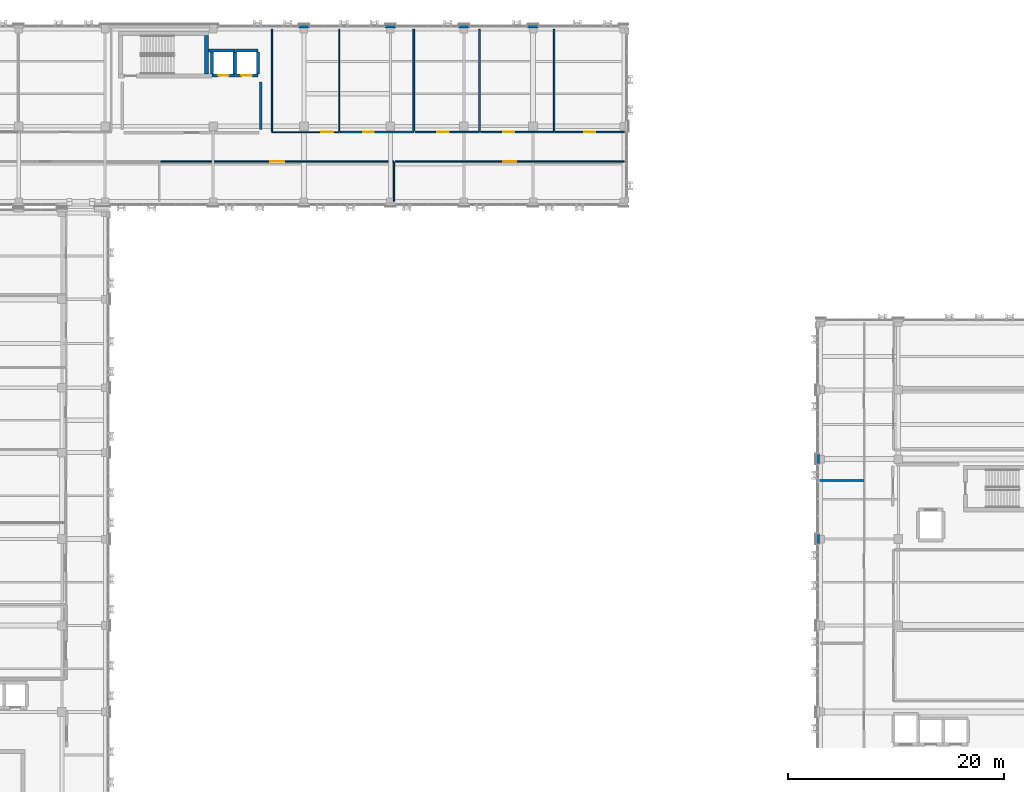
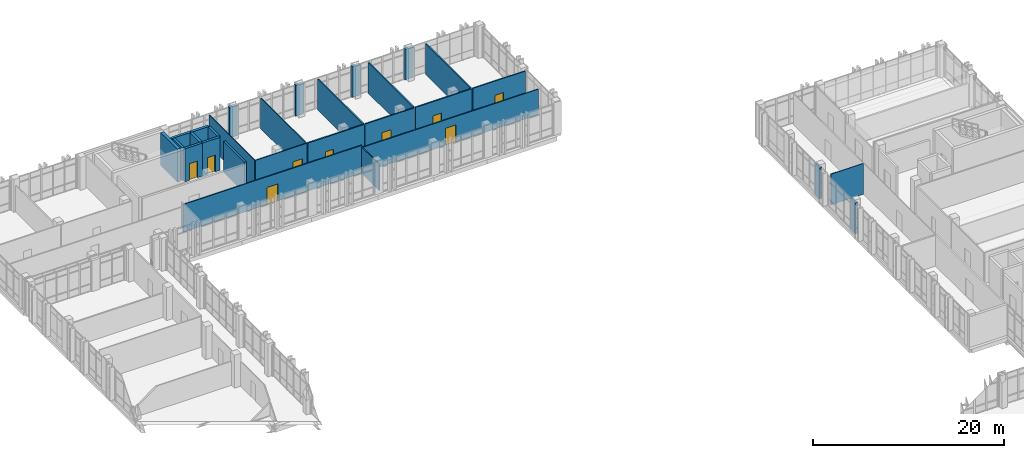
# One storey, part 138 of 165: 29 walls, 9 doors, 9 openings.
"""IFC4 building model written with IfcOpenShell, lengths in metres."""

from ifc_helpers import new_model, si_unit, direction, frame, frame_2d, origin, place, context, subcontext, project, spatial, rectangle, extrude, material, layer, layer_set, type_object, element, fill, save


model = new_model("IFC4")

# Units and contexts
model_context = context("Model", 3, precision=1e-05, world=origin(), true_north=direction((0.0, 1.0)))
body_context = subcontext(model_context, "Body", "Model", "MODEL_VIEW")
ifc_project = project(units=[si_unit("LENGTHUNIT", "METRE"), si_unit("AREAUNIT", "SQUARE_METRE"), si_unit("VOLUMEUNIT", "CUBIC_METRE"), si_unit("PLANEANGLEUNIT", "RADIAN"), si_unit("MASSUNIT", "GRAM", prefix="KILO")], contexts=[model_context])

# Site, building, storey
site_placement = place(None, origin())
site = spatial("IfcSite", under=ifc_project, at=site_placement, CompositionType="ELEMENT")
building_placement = place(site_placement, origin())
building = spatial("IfcBuilding", under=site, at=building_placement, Name="Qalavern Law Courts", CompositionType="ELEMENT")
storey_placement = place(building_placement, frame((0.0, 0.0, 14.39990234375)))
storey = spatial("IfcBuildingStorey", under=building, at=storey_placement, Name="L03", CompositionType="ELEMENT", Elevation=14.39990234375)

# Walls
ifc_material_1 = material(Name="Concrete C40/50", Category="concrete")
ifc_layer_1 = layer(ifc_material_1, 0.294921875)
ifc_layer_set_1 = layer_set([ifc_layer_1], Name="Concrete C40/50")
wall_type_1 = type_object("IfcWallType", Name="ENV-EW-295", PredefinedType="SOLIDWALL", material=ifc_layer_set_1)
for number, where, z_axis, x_axis, name in (
    (1, (84.347412109375, 73.300048828125, 0.0), (0.0, 0.0, 1.0), (0.0, -1.0, 0.0), "V4 exterior pier wall L03 west 3"),
    (2, (84.347412109375, 65.89990234375, 0.0), (0.0, 0.0, 1.0), (0.0, -1.0, 0.0), "V4 exterior pier wall L03 west 4"),
    (3, (58.5, 112.8525390625, 0.0), (0.0, 0.0, 1.0), (-1.0, 0.0, 0.0), "V5 exterior pier wall L03 north 2"),
    (4, (52.10009765625, 112.8525390625, 0.0), (0.0, 0.0, 1.0), (-1.0, 0.0, 0.0), "V5 exterior pier wall L03 north 3"),
    (5, (45.300048828125, 112.8525390625, 0.0), (0.0, 0.0, 1.0), (-1.0, 0.0, 0.0), "V5 exterior pier wall L03 north 4"),
    (6, (37.300048828125, 112.8525390625, 0.0), (0.0, 0.0, 1.0), (-1.0, 0.0, 0.0), "V5 exterior pier wall L03 north 5"),
):
    element("IfcWall", number, at=place(storey_placement, frame(where, z_axis=z_axis, x_axis=x_axis)), inside=storey, type_object=wall_type_1, Name=name, PredefinedType="SOLIDWALL", context=body_context, shape_type="SweptSolid", body=[
        extrude(rectangle(XDim=1.0, YDim=0.294921875, at=frame_2d((0.5, 0.0))), origin(), (0.0, 0.0, 1.0), 3.920166015625),
    ])
ifc_material_2 = material(Name="Concrete C45/55", Category="concrete")
ifc_layer_2 = layer(ifc_material_2, 0.375)
ifc_layer_set_2 = layer_set([ifc_layer_2], Name="Concrete C45/55")
wall_type_2 = type_object("IfcWallType", Name="INT-CW-375", PredefinedType="SHEAR", material=ifc_layer_set_2)
wall_1_placement = place(storey_placement, frame((27.78759765625, 108.449951171875, 0.0), z_axis=(0.0, 0.0, 1.0), x_axis=(0.0, 1.0, 0.0)))
element("IfcWall", 7, at=wall_1_placement, inside=storey, type_object=wall_type_2, Name="Core K3 stair shear wall L03 east", PredefinedType="SHEAR", context=body_context, shape_type="SweptSolid", body=[
    extrude(rectangle(XDim=3.550048828125, YDim=0.375, at=frame_2d((1.77490234375, 0.0))), origin(), (0.0, 0.0, 1.0), 4.2001953125),
])
ifc_layer_3 = layer(ifc_material_1, 0.22509765625)
ifc_layer_set_3 = layer_set([ifc_layer_3], Name="Concrete C40/50")
wall_type_3 = type_object("IfcWallType", Name="INT-FW-225", PredefinedType="PARTITIONING", material=ifc_layer_set_3)
wall_2_placement = place(storey_placement, frame((32.800048828125, 103.300048828125, 0.0), z_axis=(0.0, 0.0, 1.0), x_axis=(0.0, 1.0, 0.0)))
element("IfcWall", 8, at=wall_2_placement, inside=storey, type_object=wall_type_3, Name="Core K3 lobby return wall L03 east", PredefinedType="PARTITIONING", context=body_context, shape_type="SweptSolid", body=[
    extrude(rectangle(XDim=4.39990234375, YDim=0.22509765625, at=frame_2d((2.199951171875, 0.0))), origin(), (0.0, 0.0, 1.0), 3.920166015625),
])
ifc_material_3 = material(Name="Gypsum shaft/chase partition")
ifc_layer_4 = layer(ifc_material_3, 0.092041015625)
ifc_layer_set_4 = layer_set([ifc_layer_4], Name="Gypsum shaft/chase partition")
wall_type_4 = type_object("IfcWallType", Name="INT-PW-092", PredefinedType="PARTITIONING", material=ifc_layer_set_4)
wall_3_placement = place(storey_placement, frame((84.639892578125, 70.803955078125, 0.0), z_axis=(0.0, 0.0, 1.0), x_axis=(1.0, 0.0, 0.0)))
element("IfcWall", 9, at=wall_3_placement, inside=storey, type_object=wall_type_4, Name="Civil Courtroom cross partition L03 north", PredefinedType="PARTITIONING", context=body_context, shape_type="SweptSolid", body=[
    extrude(rectangle(XDim=3.93408203125, YDim=0.092041015625, at=frame_2d((1.967041015625, 0.0))), origin(), (0.0, 0.0, 1.0), 3.920166015625),
])

# Wall, opening, door
ifc_material_4 = material(Name="Gypsum sanitary partition")
ifc_layer_5 = layer(ifc_material_4, 0.10205078125)
ifc_layer_set_5 = layer_set([ifc_layer_5], Name="Gypsum sanitary partition")
wall_type_5 = type_object("IfcWallType", Name="INT-PW-102", PredefinedType="PARTITIONING", material=ifc_layer_set_5)
wall_4_placement = place(storey_placement, frame((33.840087890625, 103.06005859375, 0.0), z_axis=(0.0, 0.0, 1.0), x_axis=(1.0, 0.0, 0.0)))
wall_4 = element("IfcWall", 10, at=wall_4_placement, inside=storey, type_object=wall_type_5, Name="Judicial Conference Room corridor partition L03", PredefinedType="PARTITIONING", context=body_context, shape_type="SweptSolid", body=[
    extrude(rectangle(XDim=6.216796875, YDim=0.10205078125, at=frame_2d((3.1083984375, 0.0))), origin(), (0.0, 0.0, 1.0), 3.920166015625),
])
opening_1_placement = place(wall_4_placement, frame((4.548583984375, 0.0, 0.0)))
opening_1 = element("IfcOpeningElement", 11, at=opening_1_placement, cuts=wall_4, Name="Opening L03-D372", PredefinedType="OPENING", context=body_context, shape_type="SweptSolid", body=[
    extrude(rectangle(XDim=1.1201171875, YDim=2.139892578125, at=frame_2d((0.56005859375, 1.06982421875))), frame((0.0, 0.06591796875, 0.0), z_axis=(0.0, -1.0, 0.0), x_axis=(1.0, 0.0, 0.0)), (0.0, 0.0, 1.0), 0.1318359375),
])
ifc_material_5 = material(Name="Solid oak Appellate Chambers door")
door_type_1 = type_object("IfcDoorType", Name="INT-ID-1120x2140", OperationType="NOTDEFINED", PredefinedType="DOOR", material=ifc_material_5)
door_1_placement = place(opening_1_placement, origin())
door_1 = element("IfcDoor", 12, at=door_1_placement, inside=storey, type_object=door_type_1, Name="Judicial Conference Room door L03", OperationType="SINGLE_SWING_LEFT", OverallHeight=2.139892578125, OverallWidth=1.1201171875, PredefinedType="DOOR", context=body_context, shape_type="SweptSolid", body=[
    extrude(rectangle(XDim=1.1201171875, YDim=2.139892578125, at=frame_2d((0.56005859375, 1.06982421875))), frame((0.0, 0.02490234375, 0.0), z_axis=(0.0, -1.0, 0.0), x_axis=(1.0, 0.0, 0.0)), (0.0, 0.0, 1.0), 0.050048828125),
])
fill(opening_1, door_1)

# Walls
for number, where, z_axis, x_axis, name in (
    (13, (33.840087890625, 103.131103515625, 0.0), (0.0, 0.0, 1.0), (0.0, 1.0, 0.0), "Judicial Conference Room cross partition L03 west"),
    (14, (40.056884765625, 103.131103515625, 0.0), (0.0, 0.0, 1.0), (0.0, 1.0, 0.0), "Judicial Conference Room cross partition L03 east"),
):
    element("IfcWall", number, at=place(storey_placement, frame(where, z_axis=z_axis, x_axis=x_axis)), inside=storey, type_object=wall_type_5, Name=name, PredefinedType="PARTITIONING", context=body_context, shape_type="SweptSolid", body=[
        extrude(rectangle(XDim=9.428955078125, YDim=0.10205078125, at=frame_2d((4.71435546875, 0.0))), origin(), (0.0, 0.0, 1.0), 3.920166015625),
    ])

# Wall, opening, door
ifc_material_6 = material(Name="Gypsum stud partition")
ifc_layer_6 = layer(ifc_material_6, 0.112060546875)
ifc_layer_set_6 = layer_set([ifc_layer_6], Name="Gypsum stud partition")
wall_type_6 = type_object("IfcWallType", Name="INT-PW-112", PredefinedType="PARTITIONING", material=ifc_layer_set_6)
wall_5_placement = place(storey_placement, frame((45.2509765625, 100.340087890625, 0.0), z_axis=(0.0, 0.0, 1.0), x_axis=(1.0, 0.0, 0.0)))
wall_5 = element("IfcWall", 15, at=wall_5_placement, inside=storey, type_object=wall_type_6, Name="Judicial Clerks' Office corridor partition L03", PredefinedType="PARTITIONING", context=body_context, shape_type="SweptSolid", body=[
    extrude(rectangle(XDim=21.1689453125, YDim=0.112060546875, at=frame_2d((10.58447265625, 0.0))), origin(), (0.0, 0.0, 1.0), 3.25),
])
opening_2_placement = place(wall_5_placement, frame((9.974609375, 0.0, 0.0)))
opening_2 = element("IfcOpeningElement", 16, at=opening_2_placement, cuts=wall_5, Name="Opening L03-D371", PredefinedType="OPENING", context=body_context, shape_type="SweptSolid", body=[
    extrude(rectangle(XDim=1.219970703125, YDim=2.179931640625, at=frame_2d((0.60986328125, 1.08984375))), frame((0.0, 0.07080078125, 0.0), z_axis=(0.0, -1.0, 0.0), x_axis=(1.0, 0.0, 0.0)), (0.0, 0.0, 1.0), 0.141845703125),
])
ifc_material_7 = material(Name="Wide oak Plenary Boardroom door")
door_type_2 = type_object("IfcDoorType", Name="INT-ID-1220x2180", OperationType="NOTDEFINED", PredefinedType="DOOR", material=ifc_material_7)
door_2_placement = place(opening_2_placement, frame((1.219970703125, 0.0, 0.0), z_axis=(0.0, 0.0, 1.0), x_axis=(-1.0, 0.0, 0.0)))
door_2 = element("IfcDoor", 17, at=door_2_placement, inside=storey, type_object=door_type_2, Name="Judicial Clerks' Office door L03", OperationType="SINGLE_SWING_RIGHT", OverallHeight=2.179931640625, OverallWidth=1.219970703125, PredefinedType="DOOR", context=body_context, shape_type="SweptSolid", body=[
    extrude(rectangle(XDim=1.219970703125, YDim=2.179931640625, at=frame_2d((0.60986328125, 1.08984375))), frame((0.0, 0.02490234375, 0.0), z_axis=(0.0, -1.0, 0.0), x_axis=(1.0, 0.0, 0.0)), (0.0, 0.0, 1.0), 0.050048828125),
])
fill(opening_2, door_2)

ifc_layer_7 = layer(ifc_material_6, 0.1220703125)
ifc_layer_set_7 = layer_set([ifc_layer_7], Name="Gypsum stud partition")
wall_type_7 = type_object("IfcWallType", Name="INT-PW-122", PredefinedType="PARTITIONING", material=ifc_layer_set_7)
wall_6_placement = place(storey_placement, frame((23.531982421875, 100.340087890625, 0.0), z_axis=(0.0, 0.0, 1.0), x_axis=(1.0, 0.0, 0.0)))
wall_6 = element("IfcWall", 18, at=wall_6_placement, inside=storey, type_object=wall_type_7, Name="Judges' Chambers corridor partition L03", PredefinedType="PARTITIONING", context=body_context, shape_type="SweptSolid", body=[
    extrude(rectangle(XDim=21.59912109375, YDim=0.1220703125, at=frame_2d((10.799560546875, 0.0))), origin(), (0.0, 0.0, 1.0), 3.5400390625),
])
opening_3_placement = place(wall_6_placement, frame((10.159423828125, 0.0, 0.0)))
opening_3 = element("IfcOpeningElement", 19, at=opening_3_placement, cuts=wall_6, Name="Opening L03-D370", PredefinedType="OPENING", context=body_context, shape_type="SweptSolid", body=[
    extrude(rectangle(XDim=1.280029296875, YDim=2.179931640625, at=frame_2d((0.64013671875, 1.08984375))), frame((0.0, 0.075927734375, 0.0), z_axis=(0.0, -1.0, 0.0), x_axis=(1.0, 0.0, 0.0)), (0.0, 0.0, 1.0), 0.15185546875),
])
ifc_material_8 = material(Name="Wide oak Judicial Conference door")
door_type_3 = type_object("IfcDoorType", Name="INT-ID-1280x2180", OperationType="NOTDEFINED", PredefinedType="DOOR", material=ifc_material_8)
door_3_placement = place(opening_3_placement, frame((1.280029296875, 0.0, 0.0), z_axis=(0.0, 0.0, 1.0), x_axis=(-1.0, 0.0, 0.0)))
door_3 = element("IfcDoor", 20, at=door_3_placement, inside=storey, type_object=door_type_3, Name="Judges' Chambers door L03", OperationType="SINGLE_SWING_LEFT", OverallHeight=2.179931640625, OverallWidth=1.280029296875, PredefinedType="DOOR", context=body_context, shape_type="SweptSolid", body=[
    extrude(rectangle(XDim=1.280029296875, YDim=2.179931640625, at=frame_2d((0.64013671875, 1.08984375))), frame((0.0, 0.02490234375, 0.0), z_axis=(0.0, -1.0, 0.0), x_axis=(1.0, 0.0, 0.0)), (0.0, 0.0, 1.0), 0.050048828125),
])
fill(opening_3, door_3)

# Wall
wall_7_placement = place(storey_placement, frame((45.131103515625, 96.639892578125, 0.0), z_axis=(0.0, 0.0, 1.0), x_axis=(0.0, 1.0, 0.0)))
element("IfcWall", 21, at=wall_7_placement, inside=storey, type_object=wall_type_7, Name="Judges' Chambers cross partition L03 east", PredefinedType="PARTITIONING", context=body_context, shape_type="SweptSolid", body=[
    extrude(rectangle(XDim=3.619140625, YDim=0.1220703125, at=frame_2d((1.8095703125, 0.0))), origin(), (0.0, 0.0, 1.0), 3.35009765625),
])

# Wall, opening, door
ifc_layer_8 = layer(ifc_material_6, 0.132080078125)
ifc_layer_set_8 = layer_set([ifc_layer_8], Name="Gypsum stud partition")
wall_type_8 = type_object("IfcWallType", Name="INT-PW-132", PredefinedType="PARTITIONING", material=ifc_layer_set_8)
wall_8_placement = place(storey_placement, frame((60.06494140625, 103.06005859375, 0.0), z_axis=(0.0, 0.0, 1.0), x_axis=(1.0, 0.0, 0.0)))
wall_8 = element("IfcWall", 22, at=wall_8_placement, inside=storey, type_object=wall_type_8, Name="Judicial Clerks' Office corridor partition L03", PredefinedType="PARTITIONING", context=body_context, shape_type="SweptSolid", body=[
    extrude(rectangle(XDim=6.35498046875, YDim=0.132080078125, at=frame_2d((3.177490234375, 0.0))), origin(), (0.0, 0.0, 1.0), 3.920166015625),
])
opening_4_placement = place(wall_8_placement, frame((2.677490234375, 0.0, 0.0)))
opening_4 = element("IfcOpeningElement", 23, at=opening_4_placement, cuts=wall_8, Name="Opening L03-D376", PredefinedType="OPENING", context=body_context, shape_type="SweptSolid", body=[
    extrude(rectangle(XDim=1.0, YDim=2.10009765625, at=frame_2d((0.5, 1.050048828125))), frame((0.0, 0.0810546875, 0.0), z_axis=(0.0, -1.0, 0.0), x_axis=(1.0, 0.0, 0.0)), (0.0, 0.0, 1.0), 0.161865234375),
])
ifc_material_9 = material(Name="Timber Judicial Clerks' Office door", Category="wood")
door_type_4 = type_object("IfcDoorType", Name="INT-ID-1000x2100", OperationType="NOTDEFINED", PredefinedType="DOOR", material=ifc_material_9)
door_4_placement = place(opening_4_placement, origin())
door_4 = element("IfcDoor", 24, at=door_4_placement, inside=storey, type_object=door_type_4, Name="Judicial Clerks' Office door L03", OperationType="SINGLE_SWING_LEFT", OverallHeight=2.10009765625, OverallWidth=1.0, PredefinedType="DOOR", context=body_context, shape_type="SweptSolid", body=[
    extrude(rectangle(XDim=1.0, YDim=2.10009765625, at=frame_2d((0.5, 1.050048828125))), frame((0.0, 0.02490234375, 0.0), z_axis=(0.0, -1.0, 0.0), x_axis=(1.0, 0.0, 0.0)), (0.0, 0.0, 1.0), 0.050048828125),
])
fill(opening_4, door_4)

ifc_layer_9 = layer(ifc_material_6, 0.14208984375)
ifc_layer_set_9 = layer_set([ifc_layer_9], Name="Gypsum stud partition")
wall_type_9 = type_object("IfcWallType", Name="INT-PW-142", PredefinedType="PARTITIONING", material=ifc_layer_set_9)
wall_9_placement = place(storey_placement, frame((53.160888671875, 103.06005859375, 0.0), z_axis=(0.0, 0.0, 1.0), x_axis=(1.0, 0.0, 0.0)))
wall_9 = element("IfcWall", 25, at=wall_9_placement, inside=storey, type_object=wall_type_9, Name="Judges' Chambers corridor partition L03", PredefinedType="PARTITIONING", context=body_context, shape_type="SweptSolid", body=[
    extrude(rectangle(XDim=6.7841796875, YDim=0.14208984375, at=frame_2d((3.39208984375, 0.0))), origin(), (0.0, 0.0, 1.0), 3.920166015625),
])
opening_5_placement = place(wall_9_placement, frame((2.076904296875, 0.0, 0.0)))
opening_5 = element("IfcOpeningElement", 26, at=opening_5_placement, cuts=wall_9, Name="Opening L03-D375", PredefinedType="OPENING", context=body_context, shape_type="SweptSolid", body=[
    extrude(rectangle(XDim=1.030029296875, YDim=2.110107421875, at=frame_2d((0.51513671875, 1.05517578125))), frame((0.0, 0.0859375, 0.0), z_axis=(0.0, -1.0, 0.0), x_axis=(1.0, 0.0, 0.0)), (0.0, 0.0, 1.0), 0.171875),
])
ifc_material_10 = material(Name="Oak Mediation Suite door")
door_type_5 = type_object("IfcDoorType", Name="INT-ID-1030x2110", OperationType="NOTDEFINED", PredefinedType="DOOR", material=ifc_material_10)
door_5_placement = place(opening_5_placement, origin())
door_5 = element("IfcDoor", 27, at=door_5_placement, inside=storey, type_object=door_type_5, Name="Judges' Chambers door L03", OperationType="SINGLE_SWING_RIGHT", OverallHeight=2.110107421875, OverallWidth=1.030029296875, PredefinedType="DOOR", context=body_context, shape_type="SweptSolid", body=[
    extrude(rectangle(XDim=1.030029296875, YDim=2.110107421875, at=frame_2d((0.51513671875, 1.05517578125))), frame((0.0, 0.02490234375, 0.0), z_axis=(0.0, -1.0, 0.0), x_axis=(1.0, 0.0, 0.0)), (0.0, 0.0, 1.0), 0.050048828125),
])
fill(opening_5, door_5)

# Wall
wall_10_placement = place(storey_placement, frame((59.945068359375, 103.15087890625, 0.0), z_axis=(0.0, 0.0, 1.0), x_axis=(0.0, 1.0, 0.0)))
element("IfcWall", 28, at=wall_10_placement, inside=storey, type_object=wall_type_9, Name="Judges' Chambers cross partition L03 east", PredefinedType="PARTITIONING", context=body_context, shape_type="SweptSolid", body=[
    extrude(rectangle(XDim=9.4091796875, YDim=0.14208984375, at=frame_2d((4.70458984375, 0.0))), origin(), (0.0, 0.0, 1.0), 3.920166015625),
])

# Wall, opening, door
ifc_layer_10 = layer(ifc_material_6, 0.152099609375)
ifc_layer_set_10 = layer_set([ifc_layer_10], Name="Gypsum stud partition")
wall_type_10 = type_object("IfcWallType", Name="INT-PW-152", PredefinedType="PARTITIONING", material=ifc_layer_set_10)
wall_11_placement = place(storey_placement, frame((47.08203125, 103.06005859375, 0.0), z_axis=(0.0, 0.0, 1.0), x_axis=(1.0, 0.0, 0.0)))
wall_11 = element("IfcWall", 29, at=wall_11_placement, inside=storey, type_object=wall_type_10, Name="Judges' Chambers corridor partition L03", PredefinedType="PARTITIONING", context=body_context, shape_type="SweptSolid", body=[
    extrude(rectangle(XDim=5.958984375, YDim=0.152099609375, at=frame_2d((2.9794921875, 0.0))), origin(), (0.0, 0.0, 1.0), 3.920166015625),
])
opening_6_placement = place(wall_11_placement, frame((2.049560546875, 0.0, 0.0)))
opening_6 = element("IfcOpeningElement", 30, at=opening_6_placement, cuts=wall_11, Name="Opening L03-D374", PredefinedType="OPENING", context=body_context, shape_type="SweptSolid", body=[
    extrude(rectangle(XDim=1.06005859375, YDim=2.1201171875, at=frame_2d((0.530029296875, 1.06005859375))), frame((0.0, 0.0908203125, 0.0), z_axis=(0.0, -1.0, 0.0), x_axis=(1.0, 0.0, 0.0)), (0.0, 0.0, 1.0), 0.181884765625),
])
ifc_material_11 = material(Name="Solid oak Trial Judges' Chambers door")
door_type_6 = type_object("IfcDoorType", Name="INT-ID-1060x2120", OperationType="NOTDEFINED", PredefinedType="DOOR", material=ifc_material_11)
door_6_placement = place(opening_6_placement, origin())
door_6 = element("IfcDoor", 31, at=door_6_placement, inside=storey, type_object=door_type_6, Name="Judges' Chambers door L03", OperationType="SINGLE_SWING_LEFT", OverallHeight=2.1201171875, OverallWidth=1.06005859375, PredefinedType="DOOR", context=body_context, shape_type="SweptSolid", body=[
    extrude(rectangle(XDim=1.06005859375, YDim=2.1201171875, at=frame_2d((0.530029296875, 1.06005859375))), frame((0.0, 0.02490234375, 0.0), z_axis=(0.0, -1.0, 0.0), x_axis=(1.0, 0.0, 0.0)), (0.0, 0.0, 1.0), 0.050048828125),
])
fill(opening_6, door_6)

# Wall
wall_12_placement = place(storey_placement, frame((53.041015625, 103.156005859375, 0.0), z_axis=(0.0, 0.0, 1.0), x_axis=(0.0, 1.0, 0.0)))
element("IfcWall", 32, at=wall_12_placement, inside=storey, type_object=wall_type_10, Name="Judges' Chambers cross partition L03 east", PredefinedType="PARTITIONING", context=body_context, shape_type="SweptSolid", body=[
    extrude(rectangle(XDim=9.404052734375, YDim=0.152099609375, at=frame_2d((4.7021484375, 0.0))), origin(), (0.0, 0.0, 1.0), 3.920166015625),
])

# Wall, opening, door
ifc_layer_11 = layer(ifc_material_6, 0.162109375)
ifc_layer_set_11 = layer_set([ifc_layer_11], Name="Gypsum stud partition")
wall_type_11 = type_object("IfcWallType", Name="INT-PW-162", PredefinedType="PARTITIONING", material=ifc_layer_set_11)
wall_13_placement = place(storey_placement, frame((40.177001953125, 103.06005859375, 0.0), z_axis=(0.0, 0.0, 1.0), x_axis=(1.0, 0.0, 0.0)))
wall_13 = element("IfcWall", 33, at=wall_13_placement, inside=storey, type_object=wall_type_11, Name="Accessible WC corridor partition L03", PredefinedType="PARTITIONING", context=body_context, shape_type="SweptSolid", body=[
    extrude(rectangle(XDim=6.784912109375, YDim=0.162109375, at=frame_2d((3.392578125, 0.0))), origin(), (0.0, 0.0, 1.0), 3.920166015625),
])
opening_7_placement = place(wall_13_placement, frame((2.12255859375, 0.0, 0.0)))
opening_7 = element("IfcOpeningElement", 34, at=opening_7_placement, cuts=wall_13, Name="Opening L03-D373", PredefinedType="OPENING", context=body_context, shape_type="SweptSolid", body=[
    extrude(rectangle(XDim=0.93994140625, YDim=2.070068359375, at=frame_2d((0.469970703125, 1.03515625))), frame((0.0, 0.095947265625, 0.0), z_axis=(0.0, -1.0, 0.0), x_axis=(1.0, 0.0, 0.0)), (0.0, 0.0, 1.0), 0.19189453125),
])
ifc_material_12 = material(Name="Accessible WC outward-clear door")
door_type_7 = type_object("IfcDoorType", Name="INT-ID-940x2070", OperationType="NOTDEFINED", PredefinedType="DOOR", material=ifc_material_12)
door_7_placement = place(opening_7_placement, origin())
door_7 = element("IfcDoor", 35, at=door_7_placement, inside=storey, type_object=door_type_7, Name="Accessible WC door L03", OperationType="SINGLE_SWING_RIGHT", OverallHeight=2.070068359375, OverallWidth=0.93994140625, PredefinedType="DOOR", context=body_context, shape_type="SweptSolid", body=[
    extrude(rectangle(XDim=0.93994140625, YDim=2.070068359375, at=frame_2d((0.469970703125, 1.03515625))), frame((0.0, 0.02490234375, 0.0), z_axis=(0.0, -1.0, 0.0), x_axis=(1.0, 0.0, 0.0)), (0.0, 0.0, 1.0), 0.050048828125),
])
fill(opening_7, door_7)

# Wall
wall_14_placement = place(storey_placement, frame((46.9619140625, 103.160888671875, 0.0), z_axis=(0.0, 0.0, 1.0), x_axis=(0.0, 1.0, 0.0)))
element("IfcWall", 36, at=wall_14_placement, inside=storey, type_object=wall_type_11, Name="Accessible WC cross partition L03 east", PredefinedType="PARTITIONING", context=body_context, shape_type="SweptSolid", body=[
    extrude(rectangle(XDim=9.399169921875, YDim=0.162109375, at=frame_2d((4.69970703125, 0.0))), origin(), (0.0, 0.0, 1.0), 3.920166015625),
])

# Wall, opening, door
ifc_layer_12 = layer(ifc_material_2, 0.304931640625)
ifc_layer_set_12 = layer_set([ifc_layer_12], Name="Concrete C45/55")
wall_type_12 = type_object("IfcWallType", Name="INT-SW-305", PredefinedType="SHEAR", material=ifc_layer_set_12)
wall_15_placement = place(storey_placement, frame((28.297607421875, 108.297607421875, 0.0), z_axis=(0.0, 0.0, 1.0), x_axis=(1.0, 0.0, 0.0)))
wall_15 = element("IfcWall", 37, at=wall_15_placement, inside=storey, type_object=wall_type_12, Name="Lift LF-J1 shaft wall L03 south", PredefinedType="SHEAR", context=body_context, shape_type="SweptSolid", body=[
    extrude(rectangle(XDim=2.10498046875, YDim=0.304931640625, at=frame_2d((1.052490234375, 0.0))), origin(), (0.0, 0.0, 1.0), 4.2001953125),
])
opening_8_placement = place(wall_15_placement, frame((0.572509765625, 0.0, 0.0)))
opening_8 = element("IfcOpeningElement", 38, at=opening_8_placement, cuts=wall_15, Name="Opening LD-LF-J1-L03", PredefinedType="OPENING", context=body_context, shape_type="SweptSolid", body=[
    extrude(rectangle(XDim=0.9599609375, YDim=2.1201171875, at=frame_2d((0.47998046875, 1.06005859375))), frame((0.0, 0.16748046875, 0.0), z_axis=(0.0, -1.0, 0.0), x_axis=(1.0, 0.0, 0.0)), (0.0, 0.0, 1.0), 0.334716796875),
])
ifc_material_13 = material(Name="Heavy-gauge steel judicial lift sliding landing door", Category="steel")
door_type_8 = type_object("IfcDoorType", Name="INT-LD-960x2120", OperationType="SLIDING_TO_LEFT", PredefinedType="DOOR", material=ifc_material_13)
door_8_placement = place(opening_8_placement, origin())
door_8 = element("IfcDoor", 39, at=door_8_placement, inside=storey, type_object=door_type_8, Name="Lift LF-J1 sliding landing door L03", OperationType="SLIDING_TO_LEFT", OverallHeight=2.1201171875, OverallWidth=0.9599609375, PredefinedType="DOOR", context=body_context, shape_type="SweptSolid", body=[
    extrude(rectangle(XDim=0.9599609375, YDim=2.1201171875, at=frame_2d((0.47998046875, 1.06005859375))), frame((0.0, 0.02490234375, 0.0), z_axis=(0.0, -1.0, 0.0), x_axis=(1.0, 0.0, 0.0)), (0.0, 0.0, 1.0), 0.050048828125),
])
fill(opening_8, door_8)

# Walls
wall_16_placement = place(storey_placement, frame((30.402587890625, 108.449951171875, 0.0), z_axis=(0.0, 0.0, 1.0), x_axis=(0.0, 1.0, 0.0)))
element("IfcWall", 40, at=wall_16_placement, inside=storey, type_object=wall_type_12, Name="Lift LF-J1 shaft wall L03 east", PredefinedType="SHEAR", context=body_context, shape_type="SweptSolid", body=[
    extrude(rectangle(XDim=2.0, YDim=0.304931640625, at=frame_2d((1.0, 0.0))), origin(), (0.0, 0.0, 1.0), 4.2001953125),
])
wall_17_placement = place(storey_placement, frame((30.402587890625, 110.6025390625, 0.0), z_axis=(0.0, 0.0, 1.0), x_axis=(-1.0, 0.0, 0.0)))
element("IfcWall", 41, at=wall_17_placement, inside=storey, type_object=wall_type_12, Name="Lift LF-J1 shaft wall L03 north", PredefinedType="SHEAR", context=body_context, shape_type="SweptSolid", body=[
    extrude(rectangle(XDim=2.424560546875, YDim=0.304931640625, at=frame_2d((1.21240234375, 0.0))), origin(), (0.0, 0.0, 1.0), 4.2001953125),
])
wall_18_placement = place(storey_placement, frame((28.297607421875, 110.449951171875, 0.0), z_axis=(0.0, 0.0, 1.0), x_axis=(0.0, -1.0, 0.0)))
element("IfcWall", 42, at=wall_18_placement, inside=storey, type_object=wall_type_12, Name="Lift LF-J1 shaft wall L03 west", PredefinedType="SHEAR", context=body_context, shape_type="SweptSolid", body=[
    extrude(rectangle(XDim=2.0, YDim=0.304931640625, at=frame_2d((1.0, 0.0))), origin(), (0.0, 0.0, 1.0), 4.2001953125),
])

# Wall, opening, door
wall_19_placement = place(storey_placement, frame((30.447509765625, 108.297607421875, 0.0), z_axis=(0.0, 0.0, 1.0), x_axis=(1.0, 0.0, 0.0)))
wall_19 = element("IfcWall", 43, at=wall_19_placement, inside=storey, type_object=wall_type_12, Name="Lift LF-J2 shaft wall L03 south", PredefinedType="SHEAR", context=body_context, shape_type="SweptSolid", body=[
    extrude(rectangle(XDim=2.10498046875, YDim=0.304931640625, at=frame_2d((1.052490234375, 0.0))), origin(), (0.0, 0.0, 1.0), 4.2001953125),
])
opening_9_placement = place(wall_19_placement, frame((0.572509765625, 0.0, 0.0)))
opening_9 = element("IfcOpeningElement", 44, at=opening_9_placement, cuts=wall_19, Name="Opening LD-LF-J2-L03", PredefinedType="OPENING", context=body_context, shape_type="SweptSolid", body=[
    extrude(rectangle(XDim=0.9599609375, YDim=2.1201171875, at=frame_2d((0.47998046875, 1.06005859375))), frame((0.0, 0.16748046875, 0.0), z_axis=(0.0, -1.0, 0.0), x_axis=(1.0, 0.0, 0.0)), (0.0, 0.0, 1.0), 0.334716796875),
])
door_9_placement = place(opening_9_placement, origin())
door_9 = element("IfcDoor", 45, at=door_9_placement, inside=storey, type_object=door_type_8, Name="Lift LF-J2 sliding landing door L03", OperationType="SLIDING_TO_LEFT", OverallHeight=2.1201171875, OverallWidth=0.9599609375, PredefinedType="DOOR", context=body_context, shape_type="SweptSolid", body=[
    extrude(rectangle(XDim=0.9599609375, YDim=2.1201171875, at=frame_2d((0.47998046875, 1.06005859375))), frame((0.0, 0.02490234375, 0.0), z_axis=(0.0, -1.0, 0.0), x_axis=(1.0, 0.0, 0.0)), (0.0, 0.0, 1.0), 0.050048828125),
])
fill(opening_9, door_9)

# Walls
wall_20_placement = place(storey_placement, frame((32.552490234375, 108.449951171875, 0.0), z_axis=(0.0, 0.0, 1.0), x_axis=(0.0, 1.0, 0.0)))
element("IfcWall", 46, at=wall_20_placement, inside=storey, type_object=wall_type_12, Name="Lift LF-J2 shaft wall L03 east", PredefinedType="SHEAR", context=body_context, shape_type="SweptSolid", body=[
    extrude(rectangle(XDim=2.0, YDim=0.304931640625, at=frame_2d((1.0, 0.0))), origin(), (0.0, 0.0, 1.0), 4.2001953125),
])
wall_21_placement = place(storey_placement, frame((32.552490234375, 110.6025390625, 0.0), z_axis=(0.0, 0.0, 1.0), x_axis=(-1.0, 0.0, 0.0)))
element("IfcWall", 47, at=wall_21_placement, inside=storey, type_object=wall_type_12, Name="Lift LF-J2 shaft wall L03 north", PredefinedType="SHEAR", context=body_context, shape_type="SweptSolid", body=[
    extrude(rectangle(XDim=2.10498046875, YDim=0.304931640625, at=frame_2d((1.052490234375, 0.0))), origin(), (0.0, 0.0, 1.0), 4.2001953125),
])

save(model, "model.ifc")
